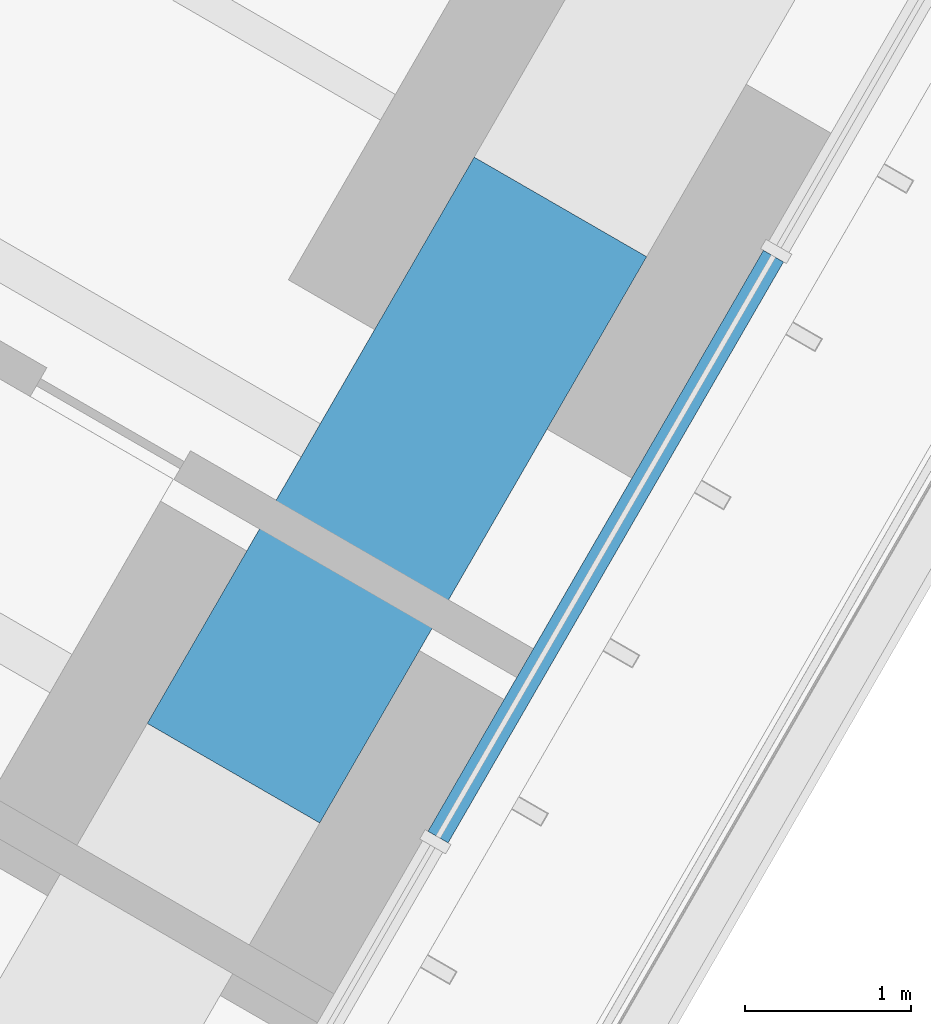
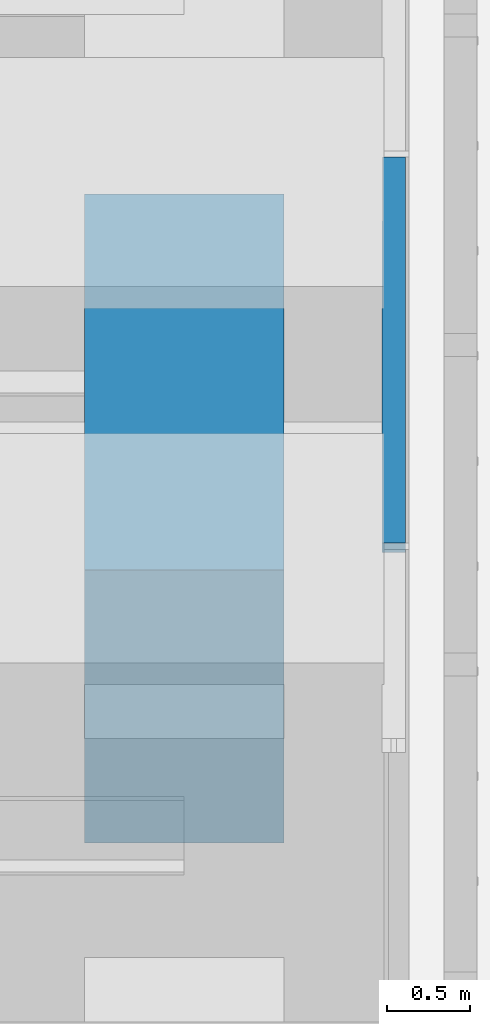
# One storey, part 108 of 238: 1 beam, 1 member, 1 element without a shape of its own.
"""IFC4 building model written with IfcOpenShell, lengths in metres."""

from ifc_helpers import new_model, si_unit, direction, frame, origin, origin_2d, place, context, subcontext, project, spatial, rectangle, extrude, material, material_profile, profile_set, type_object, element, aggregate, save


model = new_model("IFC4")

# Units and contexts
model_context = context("Model", 3, precision=1e-05, world=origin(), true_north=direction((0.0, 1.0)))
body_context = subcontext(model_context, "Body", "Model", "MODEL_VIEW")
ifc_project = project(units=[si_unit("LENGTHUNIT", "METRE"), si_unit("AREAUNIT", "SQUARE_METRE"), si_unit("VOLUMEUNIT", "CUBIC_METRE"), si_unit("PLANEANGLEUNIT", "RADIAN"), si_unit("MASSUNIT", "GRAM", prefix="KILO")], contexts=[model_context])

# Site, building, storey
site_placement = place(None, origin())
site = spatial("IfcSite", under=ifc_project, at=site_placement, CompositionType="ELEMENT")
building_placement = place(site_placement, origin())
building = spatial("IfcBuilding", under=site, at=building_placement, Name="Sandreach Pilgrim Tower", CompositionType="ELEMENT")
storey_placement = place(building_placement, frame((0.0, 0.0, 96.800048828125)))
storey = spatial("IfcBuildingStorey", under=building, at=storey_placement, Name="L23", CompositionType="ELEMENT", Elevation=96.800048828125)

# Curtain wall, member
ifc_material_1 = material(Name="Aluminium framed curtain wall", Category="aluminium")
curtain_wall_type = type_object("IfcCurtainWallType", Name="Hotel tower curtain wall", PredefinedType="NOTDEFINED", material=ifc_material_1)
curtain_wall_placement = place(storey_placement, origin())
curtain_wall = element("IfcCurtainWall", 1, at=curtain_wall_placement, inside=storey, type_object=curtain_wall_type, Name="CW-2 L23 SE", PredefinedType="NOTDEFINED")
ifc_material_2 = material(Name="Aluminium extrusion", Category="aluminium")
ifc_material_profile_1 = material_profile(ifc_material_2, rectangle(XDim=0.139892578125, YDim=0.070068359375, at=origin_2d()), Name="CW-2T 140X70")
ifc_profile_set_1 = profile_set([ifc_material_profile_1], Name="Aluminium extrusion")
member_type = type_object("IfcMemberType", Name="CW-2 transom", PredefinedType="USERDEFINED", material=ifc_profile_set_1)
member_placement = place(storey_placement, frame((24.59765625, -2.38330078125, 3.60498046875), z_axis=(-0.500023973715, -0.866011562111, 0.0), x_axis=(0.866011562111, -0.500023973715, 0.0)))
member = element("IfcMember", 2, at=member_placement, type_object=member_type, Name="CW-2 head transom 3", ObjectType="TRANSOM", PredefinedType="USERDEFINED", context=body_context, shape_type="SweptSolid", body=[
    extrude(rectangle(XDim=0.139892578125, YDim=0.070068359375, at=origin_2d()), origin(), (0.0, 0.0, 1.0), 4.041748046875),
])
aggregate(curtain_wall, [member])

# Beam
ifc_material_3 = material(Name="Concrete 10000 psi", Category="concrete")
ifc_material_profile_2 = material_profile(ifc_material_3, rectangle(XDim=1.199951171875, YDim=2.0, at=origin_2d()), Name="RC1200X2000")
ifc_profile_set_2 = profile_set([ifc_material_profile_2], Name="Concrete 10000 psi")
beam_type = type_object("IfcBeamType", Name="Spandrel beam RC1200X2000", PredefinedType="SPANDREL", material=ifc_profile_set_2)
beam_placement = place(storey_placement, frame((23.31396484375, -2.086669921875, 2.639892578125), z_axis=(-0.49999779889, -0.866026674592, 0.0), x_axis=(0.866026674592, -0.49999779889, 0.0)))
element("IfcBeam", 3, at=beam_placement, inside=storey, type_object=beam_type, Name="BM L23 SP15", PredefinedType="SPANDREL", context=body_context, shape_type="SweptSolid", body=[
    extrude(rectangle(XDim=1.199951171875, YDim=2.0, at=origin_2d()), origin(), (0.0, 0.0, 1.0), 3.93994140625),
])

save(model, "model.ifc")
